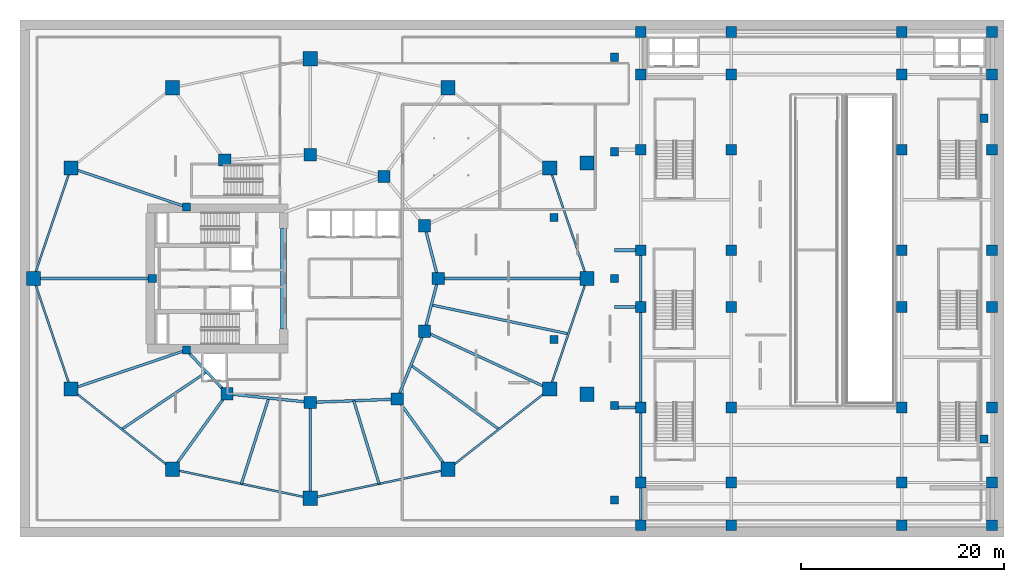
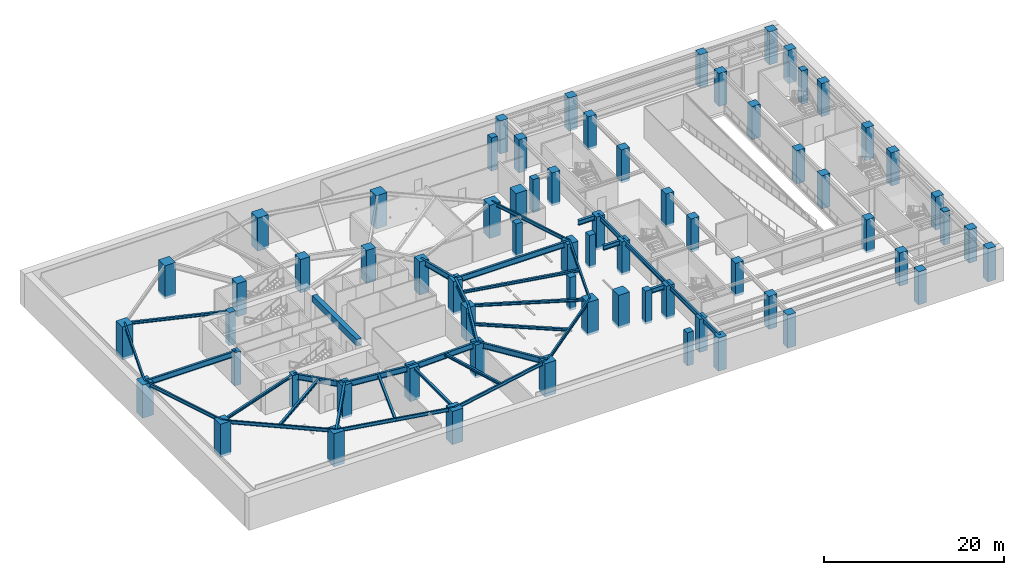
# One storey, part 1 of 16: 67 columns, 35 beams.
"""IFC4 building model written with IfcOpenShell, lengths in metres."""

from ifc_helpers import new_model, si_unit, direction, frame, origin, origin_2d, place, context, subcontext, project, spatial, rectangle, i_section, extrude, material, material_profile, profile_set, type_object, element, save


model = new_model("IFC4")

# Units and contexts
model_context = context("Model", 3, precision=1e-05, world=origin(), true_north=direction((0.0, 1.0)))
body_context = subcontext(model_context, "Body", "Model", "MODEL_VIEW")
ifc_project = project(units=[si_unit("LENGTHUNIT", "METRE"), si_unit("AREAUNIT", "SQUARE_METRE"), si_unit("VOLUMEUNIT", "CUBIC_METRE"), si_unit("PLANEANGLEUNIT", "RADIAN"), si_unit("MASSUNIT", "GRAM", prefix="KILO")], contexts=[model_context])

# Site, building, storey
site_placement = place(None, origin())
site = spatial("IfcSite", under=ifc_project, at=site_placement, CompositionType="ELEMENT")
building_placement = place(site_placement, origin())
building = spatial("IfcBuilding", under=site, at=building_placement, Name="Kolvaren Gate Tower and Convention Centre", CompositionType="ELEMENT")
storey_placement = place(building_placement, frame((0.0, 0.0, -9.0)))
storey = spatial("IfcBuildingStorey", under=building, at=storey_placement, Name="B2", CompositionType="ELEMENT", Elevation=-9.0)

# Columns
ifc_material_1 = material(Name="Concrete C60/75", Category="concrete")
ifc_material_profile_1 = material_profile(ifc_material_1, rectangle(XDim=1.050048828125, YDim=1.050048828125, at=origin_2d()), Name="RC-COL-1050X1050")
ifc_profile_set_1 = profile_set([ifc_material_profile_1], Name="Concrete C60/75")
column_type_1 = type_object("IfcColumnType", Name="STR-COL-RC1050", PredefinedType="COLUMN", material=ifc_profile_set_1)
for number, where, z_axis, x_axis, name in (
    (1, (62.699951171875, 2.699951171875, -0.320068359375), (0.0, 0.0, 1.0), (1.0, 0.0, 0.0), "Convention B2 Column CC-11"),
    (2, (62.699951171875, 6.89990234375, -0.320068359375), (0.0, 0.0, 1.0), (1.0, 0.0, 0.0), "Convention B2 Column CC-12"),
    (3, (62.699951171875, 14.300048828125, -0.320068359375), (0.0, 0.0, 1.0), (1.0, 0.0, 0.0), "Convention B2 Column CC-13"),
    (4, (62.699951171875, 24.199951171875, -0.320068359375), (0.0, 0.0, 1.0), (1.0, 0.0, 0.0), "Convention B2 Column CC-14"),
    (5, (62.699951171875, 29.800048828125, -0.320068359375), (0.0, 0.0, 1.0), (1.0, 0.0, 0.0), "Convention B2 Column CC-15"),
    (6, (62.699951171875, 39.699951171875, -0.320068359375), (0.0, 0.0, 1.0), (1.0, 0.0, 0.0), "Convention B2 Column CC-16"),
    (7, (62.699951171875, 47.10009765625, -0.320068359375), (0.0, 0.0, 1.0), (1.0, 0.0, 0.0), "Convention B2 Column CC-17"),
    (8, (62.699951171875, 51.300048828125, -0.320068359375), (0.0, 0.0, 1.0), (1.0, 0.0, 0.0), "Convention B2 Column CC-18"),
    (9, (71.60009765625, 2.699951171875, -0.320068359375), (0.0, 0.0, 1.0), (1.0, 0.0, 0.0), "Convention B2 Column CC-21"),
    (10, (71.60009765625, 6.89990234375, -0.320068359375), (0.0, 0.0, 1.0), (1.0, 0.0, 0.0), "Convention B2 Column CC-22"),
    (11, (71.60009765625, 14.300048828125, -0.320068359375), (0.0, 0.0, 1.0), (1.0, 0.0, 0.0), "Convention B2 Column CC-23"),
    (12, (71.60009765625, 24.199951171875, -0.320068359375), (0.0, 0.0, 1.0), (1.0, 0.0, 0.0), "Convention B2 Column CC-24"),
    (13, (71.60009765625, 29.800048828125, -0.320068359375), (0.0, 0.0, 1.0), (1.0, 0.0, 0.0), "Convention B2 Column CC-25"),
    (14, (71.60009765625, 39.699951171875, -0.320068359375), (0.0, 0.0, 1.0), (1.0, 0.0, 0.0), "Convention B2 Column CC-26"),
    (15, (71.60009765625, 47.10009765625, -0.320068359375), (0.0, 0.0, 1.0), (1.0, 0.0, 0.0), "Convention B2 Column CC-27"),
    (16, (71.60009765625, 51.300048828125, -0.320068359375), (0.0, 0.0, 1.0), (1.0, 0.0, 0.0), "Convention B2 Column CC-28"),
    (17, (88.39990234375, 2.699951171875, -0.320068359375), (0.0, 0.0, 1.0), (1.0, 0.0, 0.0), "Convention B2 Column CC-31"),
    (18, (88.39990234375, 6.89990234375, -0.320068359375), (0.0, 0.0, 1.0), (1.0, 0.0, 0.0), "Convention B2 Column CC-32"),
    (19, (88.39990234375, 14.300048828125, -0.320068359375), (0.0, 0.0, 1.0), (1.0, 0.0, 0.0), "Convention B2 Column CC-33"),
    (20, (88.39990234375, 24.199951171875, -0.320068359375), (0.0, 0.0, 1.0), (1.0, 0.0, 0.0), "Convention B2 Column CC-34"),
    (21, (88.39990234375, 29.800048828125, -0.320068359375), (0.0, 0.0, 1.0), (1.0, 0.0, 0.0), "Convention B2 Column CC-35"),
    (22, (88.39990234375, 39.699951171875, -0.320068359375), (0.0, 0.0, 1.0), (1.0, 0.0, 0.0), "Convention B2 Column CC-36"),
    (23, (88.39990234375, 47.10009765625, -0.320068359375), (0.0, 0.0, 1.0), (1.0, 0.0, 0.0), "Convention B2 Column CC-37"),
    (24, (88.39990234375, 51.300048828125, -0.320068359375), (0.0, 0.0, 1.0), (1.0, 0.0, 0.0), "Convention B2 Column CC-38"),
    (25, (97.300048828125, 2.699951171875, -0.320068359375), (0.0, 0.0, 1.0), (1.0, 0.0, 0.0), "Convention B2 Column CC-41"),
    (26, (97.300048828125, 6.89990234375, -0.320068359375), (0.0, 0.0, 1.0), (1.0, 0.0, 0.0), "Convention B2 Column CC-42"),
    (27, (97.300048828125, 14.300048828125, -0.320068359375), (0.0, 0.0, 1.0), (1.0, 0.0, 0.0), "Convention B2 Column CC-43"),
    (28, (97.300048828125, 24.199951171875, -0.320068359375), (0.0, 0.0, 1.0), (1.0, 0.0, 0.0), "Convention B2 Column CC-44"),
    (29, (97.300048828125, 29.800048828125, -0.320068359375), (0.0, 0.0, 1.0), (1.0, 0.0, 0.0), "Convention B2 Column CC-45"),
    (30, (97.300048828125, 39.699951171875, -0.320068359375), (0.0, 0.0, 1.0), (1.0, 0.0, 0.0), "Convention B2 Column CC-46"),
    (31, (97.300048828125, 47.10009765625, -0.320068359375), (0.0, 0.0, 1.0), (1.0, 0.0, 0.0), "Convention B2 Column CC-47"),
    (32, (97.300048828125, 51.300048828125, -0.320068359375), (0.0, 0.0, 1.0), (1.0, 0.0, 0.0), "Convention B2 Column CC-48"),
):
    element("IfcColumn", number, at=place(storey_placement, frame(where, z_axis=z_axis, x_axis=x_axis)), inside=storey, type_object=column_type_1, Name=name, PredefinedType="COLUMN", context=body_context, shape_type="SweptSolid", body=[
        extrude(rectangle(XDim=1.050048828125, YDim=1.050048828125, at=origin_2d()), origin(), (0.0, 0.0, 1.0), 4.5),
    ])
ifc_material_2 = material(Name="Concrete C70/85", Category="concrete")
ifc_material_profile_2 = material_profile(ifc_material_2, rectangle(XDim=1.199951171875, YDim=1.199951171875, at=origin_2d()), Name="RC-COL-1200X1200")
ifc_profile_set_2 = profile_set([ifc_material_profile_2], Name="Concrete C70/85")
column_type_2 = type_object("IfcColumnType", Name="STR-COL-RC1200", PredefinedType="COLUMN", material=ifc_profile_set_2)
for number, where, z_axis, x_axis, name in (
    (33, (42.72509765625, 27.0, -0.320068359375), (0.0, 0.0, 1.0), (1.0, 0.0, 0.0), "Tower B2 Interior Column TI-01"),
    (34, (41.382080078125, 32.199462890625, -0.320068359375), (0.0, 0.0, 1.0), (1.0, 0.0, 0.0), "Tower B2 Interior Column TI-02"),
    (35, (37.381591796875, 37.054931640625, -0.320068359375), (0.0, 0.0, 1.0), (1.0, 0.0, 0.0), "Tower B2 Interior Column TI-03"),
    (36, (30.125, 39.199951171875, -0.320068359375), (0.0, 0.0, 1.0), (1.0, 0.0, 0.0), "Tower B2 Interior Column TI-04"),
    (37, (21.697998046875, 38.6767578125, -0.320068359375), (0.0, 0.0, 1.0), (1.0, 0.0, 0.0), "Tower B2 Interior Column TI-05"),
    (38, (21.93212890625, 15.647705078125, -0.320068359375), (0.0, 0.0, 1.0), (1.0, 0.0, 0.0), "Tower B2 Interior Column TI-06"),
    (39, (30.125, 14.800048828125, -0.320068359375), (0.0, 0.0, 1.0), (1.0, 0.0, 0.0), "Tower B2 Interior Column TI-07"),
    (40, (38.6982421875, 15.12060546875, -0.320068359375), (0.0, 0.0, 1.0), (1.0, 0.0, 0.0), "Tower B2 Interior Column TI-08"),
    (41, (41.382080078125, 21.800537109375, -0.320068359375), (0.0, 0.0, 1.0), (1.0, 0.0, 0.0), "Tower B2 Interior Column TI-09"),
):
    element("IfcColumn", number, at=place(storey_placement, frame(where, z_axis=z_axis, x_axis=x_axis)), inside=storey, type_object=column_type_2, Name=name, PredefinedType="COLUMN", context=body_context, shape_type="SweptSolid", body=[
        extrude(rectangle(XDim=1.199951171875, YDim=1.199951171875, at=origin_2d()), origin(), (0.0, 0.0, 1.0), 4.5),
    ])
ifc_material_profile_3 = material_profile(ifc_material_2, rectangle(XDim=1.39990234375, YDim=1.39990234375, at=origin_2d()), Name="RC-COL-1400X1400")
ifc_profile_set_3 = profile_set([ifc_material_profile_3], Name="Concrete C70/85")
column_type_3 = type_object("IfcColumnType", Name="STR-COL-RC1400", PredefinedType="COLUMN", material=ifc_profile_set_3)
for number, where, z_axis, x_axis, name in (
    (42, (57.39990234375, 27.0, -0.320068359375), (0.0, 0.0, 1.0), (1.0, 0.0, 0.0), "Tower B2 Perimeter Supercolumn TP-01"),
    (43, (53.710205078125, 37.8935546875, -0.320068359375), (0.0, 0.0, 1.0), (1.0, 0.0, 0.0), "Tower B2 Perimeter Supercolumn TP-02"),
    (44, (43.690185546875, 45.79638671875, -0.320068359375), (0.0, 0.0, 1.0), (1.0, 0.0, 0.0), "Tower B2 Perimeter Supercolumn TP-03"),
    (45, (30.125, 48.64990234375, -0.320068359375), (0.0, 0.0, 1.0), (1.0, 0.0, 0.0), "Tower B2 Perimeter Supercolumn TP-04"),
    (46, (16.559814453125, 45.79638671875, -0.320068359375), (0.0, 0.0, 1.0), (1.0, 0.0, 0.0), "Tower B2 Perimeter Supercolumn TP-05"),
    (47, (6.539794921875, 37.8935546875, -0.320068359375), (0.0, 0.0, 1.0), (1.0, 0.0, 0.0), "Tower B2 Perimeter Supercolumn TP-06"),
    (48, (2.85009765625, 27.0, -0.320068359375), (0.0, 0.0, 1.0), (1.0, 0.0, 0.0), "Tower B2 Perimeter Supercolumn TP-07"),
    (49, (6.539794921875, 16.1064453125, -0.320068359375), (0.0, 0.0, 1.0), (1.0, 0.0, 0.0), "Tower B2 Perimeter Supercolumn TP-08"),
    (50, (16.559814453125, 8.20361328125, -0.320068359375), (0.0, 0.0, 1.0), (1.0, 0.0, 0.0), "Tower B2 Perimeter Supercolumn TP-09"),
    (51, (30.125, 5.35009765625, -0.320068359375), (0.0, 0.0, 1.0), (1.0, 0.0, 0.0), "Tower B2 Perimeter Supercolumn TP-10"),
    (52, (43.690185546875, 8.20361328125, -0.320068359375), (0.0, 0.0, 1.0), (1.0, 0.0, 0.0), "Tower B2 Perimeter Supercolumn TP-11"),
    (53, (53.710205078125, 16.1064453125, -0.320068359375), (0.0, 0.0, 1.0), (1.0, 0.0, 0.0), "Tower B2 Perimeter Supercolumn TP-12"),
    (54, (57.39990234375, 15.60009765625, -0.320068359375), (0.0, 0.0, 1.0), (1.0, 0.0, 0.0), "Monumental Arch Skewback Pier AP-1 (B2)"),
    (55, (57.39990234375, 38.39990234375, -0.320068359375), (0.0, 0.0, 1.0), (1.0, 0.0, 0.0), "Monumental Arch Skewback Pier AP-2 (B2)"),
):
    element("IfcColumn", number, at=place(storey_placement, frame(where, z_axis=z_axis, x_axis=x_axis)), inside=storey, type_object=column_type_3, Name=name, PredefinedType="COLUMN", context=body_context, shape_type="SweptSolid", body=[
        extrude(rectangle(XDim=1.39990234375, YDim=1.39990234375, at=origin_2d()), origin(), (0.0, 0.0, 1.0), 4.5),
    ])
ifc_material_3 = material(Name="Concrete C50/60", Category="concrete")
ifc_material_profile_4 = material_profile(ifc_material_3, rectangle(XDim=0.800048828125, YDim=0.800048828125, at=origin_2d()), Name="RC-COL-800X800")
ifc_profile_set_4 = profile_set([ifc_material_profile_4], Name="Concrete C50/60")
column_type_4 = type_object("IfcColumnType", Name="STR-COL-RC800", PredefinedType="COLUMN", material=ifc_profile_set_4)
for number, where, z_axis, x_axis, name in (
    (56, (60.10009765625, 5.199951171875, -0.320068359375), (0.0, 0.0, 1.0), (1.0, 0.0, 0.0), "Substructure Plaza Column BP-01 (B2)"),
    (57, (60.10009765625, 14.5, -0.320068359375), (0.0, 0.0, 1.0), (1.0, 0.0, 0.0), "Substructure Plaza Column BP-02 (B2)"),
    (58, (60.10009765625, 27.0, -0.320068359375), (0.0, 0.0, 1.0), (1.0, 0.0, 0.0), "Substructure Plaza Column BP-03 (B2)"),
    (59, (60.10009765625, 39.5, -0.320068359375), (0.0, 0.0, 1.0), (1.0, 0.0, 0.0), "Substructure Plaza Column BP-04 (B2)"),
    (60, (60.10009765625, 48.800048828125, -0.320068359375), (0.0, 0.0, 1.0), (1.0, 0.0, 0.0), "Substructure Plaza Column BP-05 (B2)"),
):
    element("IfcColumn", number, at=place(storey_placement, frame(where, z_axis=z_axis, x_axis=x_axis)), inside=storey, type_object=column_type_4, Name=name, PredefinedType="COLUMN", context=body_context, shape_type="SweptSolid", body=[
        extrude(rectangle(XDim=0.800048828125, YDim=0.800048828125, at=origin_2d()), origin(), (0.0, 0.0, 1.0), 4.5),
    ])
ifc_material_profile_5 = material_profile(ifc_material_1, rectangle(XDim=0.800048828125, YDim=0.800048828125, at=origin_2d()), Name="RC-COL-800X800")
ifc_profile_set_5 = profile_set([ifc_material_profile_5], Name="Concrete C60/75")
column_type_5 = type_object("IfcColumnType", Name="STR-PIL-RC800", PredefinedType="PILASTER", material=ifc_profile_set_5)
for number, where, z_axis, x_axis, name in (
    (61, (54.14990234375, 21.0, -0.320068359375), (0.0, 0.0, 1.0), (1.0, 0.0, 0.0), "Arch Portal Pilaster CP-1 (B2)"),
    (62, (54.14990234375, 33.0, -0.320068359375), (0.0, 0.0, 1.0), (1.0, 0.0, 0.0), "Arch Portal Pilaster CP-2 (B2)"),
    (63, (17.9140625, 34.050048828125, -0.320068359375), (0.0, 0.0, 1.0), (1.0, 0.0, 0.0), "Tower B2 Core Boundary Pilaster TC-05"),
    (64, (14.550048828125, 27.0, -0.320068359375), (0.0, 0.0, 1.0), (1.0, 0.0, 0.0), "Tower B2 Core Boundary Pilaster TC-06"),
    (65, (17.9140625, 19.949951171875, -0.320068359375), (0.0, 0.0, 1.0), (1.0, 0.0, 0.0), "Tower B2 Core Boundary Pilaster TC-07"),
    (66, (96.5, 11.199951171875, -0.320068359375), (0.0, 0.0, 1.0), (1.0, 0.0, 0.0), "Convention B2 Wall Pilaster CP-C1"),
    (67, (96.5, 42.800048828125, -0.320068359375), (0.0, 0.0, 1.0), (1.0, 0.0, 0.0), "Convention B2 Wall Pilaster CP-C2"),
):
    element("IfcColumn", number, at=place(storey_placement, frame(where, z_axis=z_axis, x_axis=x_axis)), inside=storey, type_object=column_type_5, Name=name, PredefinedType="PILASTER", context=body_context, shape_type="SweptSolid", body=[
        extrude(rectangle(XDim=0.800048828125, YDim=0.800048828125, at=origin_2d()), origin(), (0.0, 0.0, 1.0), 4.5),
    ])

# Beams
ifc_material_4 = material(Name="Structural steel ASTM A992 Grade 345 MPa", Category="steel")
ifc_material_profile_6 = material_profile(ifc_material_4, i_section(OverallWidth=0.22998046875, OverallDepth=0.616943359375, WebThickness=0.01318359375, FlangeThickness=0.022216796875, at=origin_2d()), Name="W610X140")
ifc_profile_set_6 = profile_set([ifc_material_profile_6], Name="Structural steel ASTM A992 Grade 345 MPa")
beam_type_1 = type_object("IfcBeamType", Name="STR-BM-W610X140", PredefinedType="BEAM", material=ifc_profile_set_6)
beam_1_placement = place(storey_placement, frame((62.699951171875, 2.699951171875, 3.87158203125), z_axis=(0.0, 1.0, 0.0), x_axis=(-1.0, 0.0, 0.0)))
element("IfcBeam", 68, at=beam_1_placement, inside=storey, type_object=beam_type_1, Name="Convention B2 Longitudinal Girder CG-11", PredefinedType="BEAM", context=body_context, shape_type="SweptSolid", body=[
    extrude(i_section(OverallWidth=0.22998046875, OverallDepth=0.616943359375, WebThickness=0.01318359375, FlangeThickness=0.022216796875, at=origin_2d()), origin(), (0.0, 0.0, 1.0), 4.199951171875),
])
beam_2_placement = place(storey_placement, frame((62.699951171875, 6.89990234375, 3.87158203125), z_axis=(0.0, 1.0, 0.0), x_axis=(-1.0, 0.0, 0.0)))
element("IfcBeam", 69, at=beam_2_placement, inside=storey, type_object=beam_type_1, Name="Convention B2 Longitudinal Girder CG-12", PredefinedType="BEAM", context=body_context, shape_type="SweptSolid", body=[
    extrude(i_section(OverallWidth=0.22998046875, OverallDepth=0.616943359375, WebThickness=0.01318359375, FlangeThickness=0.022216796875, at=origin_2d()), origin(), (0.0, 0.0, 1.0), 7.400146484375),
])
beam_3_placement = place(storey_placement, frame((62.699951171875, 14.300048828125, 3.87158203125), z_axis=(0.0, 1.0, 0.0), x_axis=(-1.0, 0.0, 0.0)))
element("IfcBeam", 70, at=beam_3_placement, inside=storey, type_object=beam_type_1, Name="Convention B2 Longitudinal Girder CG-13", PredefinedType="BEAM", context=body_context, shape_type="SweptSolid", body=[
    extrude(i_section(OverallWidth=0.22998046875, OverallDepth=0.616943359375, WebThickness=0.01318359375, FlangeThickness=0.022216796875, at=origin_2d()), origin(), (0.0, 0.0, 1.0), 9.89990234375),
])
beam_4_placement = place(storey_placement, frame((62.699951171875, 24.199951171875, 3.87158203125), z_axis=(0.0, 1.0, 0.0), x_axis=(-1.0, 0.0, 0.0)))
element("IfcBeam", 71, at=beam_4_placement, inside=storey, type_object=beam_type_1, Name="Convention B2 Longitudinal Girder CG-14", PredefinedType="BEAM", context=body_context, shape_type="SweptSolid", body=[
    extrude(i_section(OverallWidth=0.22998046875, OverallDepth=0.616943359375, WebThickness=0.01318359375, FlangeThickness=0.022216796875, at=origin_2d()), origin(), (0.0, 0.0, 1.0), 5.60009765625),
])
ifc_material_profile_7 = material_profile(ifc_material_4, i_section(OverallWidth=0.327880859375, OverallDepth=0.6279296875, WebThickness=0.0166015625, FlangeThickness=0.027587890625, at=origin_2d()), Name="W610X217")
ifc_profile_set_7 = profile_set([ifc_material_profile_7], Name="Structural steel ASTM A992 Grade 345 MPa")
beam_type_2 = type_object("IfcBeamType", Name="STR-BM-W610X217", PredefinedType="BEAM", material=ifc_profile_set_7)
for number, where, z_axis, x_axis, name in (
    (72, (60.10009765625, 14.300048828125, 3.865966796875), (1.0, 0.0, 0.0), (0.0, 1.0, 0.0), "Basement B2 Substructure Girder SG-14"),
    (73, (60.10009765625, 24.199951171875, 3.865966796875), (1.0, 0.0, 0.0), (0.0, 1.0, 0.0), "Basement B2 Substructure Girder SG-24"),
    (74, (60.10009765625, 29.800048828125, 3.865966796875), (1.0, 0.0, 0.0), (0.0, 1.0, 0.0), "Basement B2 Substructure Girder SG-29"),
):
    element("IfcBeam", number, at=place(storey_placement, frame(where, z_axis=z_axis, x_axis=x_axis)), inside=storey, type_object=beam_type_2, Name=name, PredefinedType="BEAM", context=body_context, shape_type="SweptSolid", body=[
        extrude(i_section(OverallWidth=0.327880859375, OverallDepth=0.6279296875, WebThickness=0.0166015625, FlangeThickness=0.027587890625, at=origin_2d()), origin(), (0.0, 0.0, 1.0), 2.599853515625),
    ])
ifc_material_profile_8 = material_profile(ifc_material_4, i_section(OverallWidth=0.26806640625, OverallDepth=0.758056640625, WebThickness=0.016357421875, FlangeThickness=0.025390625, at=origin_2d()), Name="W760X220")
ifc_profile_set_8 = profile_set([ifc_material_profile_8], Name="Structural steel ASTM A992 Grade 345 MPa")
beam_type_3 = type_object("IfcBeamType", Name="STR-BM-W760X220", PredefinedType="BEAM", material=ifc_profile_set_8)
beam_5_placement = place(storey_placement, frame((42.72509765625, 27.0, 3.801025390625), z_axis=(-0.250091133936, -0.968222301296, 0.0), x_axis=(0.968222301296, -0.250091133936, 0.0)))
element("IfcBeam", 75, at=beam_5_placement, inside=storey, type_object=beam_type_3, Name="Tower B2 Primary Ring Girder G-01", PredefinedType="BEAM", context=body_context, shape_type="SweptSolid", body=[
    extrude(i_section(OverallWidth=0.26806640625, OverallDepth=0.758056640625, WebThickness=0.016357421875, FlangeThickness=0.025390625, at=origin_2d()), origin(), (0.0, 0.0, 1.0), 5.3701171875),
])
beam_6_placement = place(storey_placement, frame((17.9140625, 19.949951171875, 3.801025390625), z_axis=(0.682557592987, -0.730831808459, 0.0), x_axis=(0.730831808459, 0.682557592987, 0.0)))
element("IfcBeam", 76, at=beam_6_placement, inside=storey, type_object=beam_type_3, Name="Tower B2 Primary Ring Girder G-06", PredefinedType="BEAM", context=body_context, shape_type="SweptSolid", body=[
    extrude(i_section(OverallWidth=0.26806640625, OverallDepth=0.758056640625, WebThickness=0.016357421875, FlangeThickness=0.025390625, at=origin_2d()), origin(), (0.0, 0.0, 1.0), 5.88671875),
])
beam_7_placement = place(storey_placement, frame((21.93212890625, 15.647705078125, 3.801025390625), z_axis=(0.994690329115, -0.102913308978, 0.0), x_axis=(0.102913308978, 0.994690329115, 0.0)))
element("IfcBeam", 77, at=beam_7_placement, inside=storey, type_object=beam_type_3, Name="Tower B2 Primary Ring Girder G-07", PredefinedType="BEAM", context=body_context, shape_type="SweptSolid", body=[
    extrude(i_section(OverallWidth=0.26806640625, OverallDepth=0.758056640625, WebThickness=0.016357421875, FlangeThickness=0.025390625, at=origin_2d()), origin(), (0.0, 0.0, 1.0), 8.236572265625),
])
beam_8_placement = place(storey_placement, frame((30.125, 14.800048828125, 3.801025390625), z_axis=(0.999301712453, 0.037364254142, 0.0), x_axis=(-0.037364254142, 0.999301712453, 0.0)))
element("IfcBeam", 78, at=beam_8_placement, inside=storey, type_object=beam_type_3, Name="Tower B2 Primary Ring Girder G-08", PredefinedType="BEAM", context=body_context, shape_type="SweptSolid", body=[
    extrude(i_section(OverallWidth=0.26806640625, OverallDepth=0.758056640625, WebThickness=0.016357421875, FlangeThickness=0.025390625, at=origin_2d()), origin(), (0.0, 0.0, 1.0), 8.579345703125),
])
beam_9_placement = place(storey_placement, frame((38.6982421875, 15.12060546875, 3.801025390625), z_axis=(0.372811100169, 0.927907260232, 0.0), x_axis=(-0.927907260232, 0.372811100169, 0.0)))
element("IfcBeam", 79, at=beam_9_placement, inside=storey, type_object=beam_type_3, Name="Tower B2 Primary Ring Girder G-09", PredefinedType="BEAM", context=body_context, shape_type="SweptSolid", body=[
    extrude(i_section(OverallWidth=0.26806640625, OverallDepth=0.758056640625, WebThickness=0.016357421875, FlangeThickness=0.025390625, at=origin_2d()), origin(), (0.0, 0.0, 1.0), 7.198974609375),
])
beam_10_placement = place(storey_placement, frame((42.72509765625, 27.0, 3.801025390625), z_axis=(-0.250091133936, 0.968222301296, 0.0), x_axis=(-0.968222301296, -0.250091133936, 0.0)))
element("IfcBeam", 80, at=beam_10_placement, inside=storey, type_object=beam_type_3, Name="Tower B2 Primary Ring Girder G-12", PredefinedType="BEAM", context=body_context, shape_type="SweptSolid", body=[
    extrude(i_section(OverallWidth=0.26806640625, OverallDepth=0.758056640625, WebThickness=0.016357421875, FlangeThickness=0.025390625, at=origin_2d()), origin(), (0.0, 0.0, 1.0), 5.3701171875),
])
beam_11_placement = place(storey_placement, frame((42.72509765625, 27.0, 3.801025390625), z_axis=(1.0, 0.0, 0.0), x_axis=(0.0, 1.0, 0.0)))
element("IfcBeam", 81, at=beam_11_placement, inside=storey, type_object=beam_type_3, Name="Tower B2 Radial Floor Girder RB-01", PredefinedType="BEAM", context=body_context, shape_type="SweptSolid", body=[
    extrude(i_section(OverallWidth=0.26806640625, OverallDepth=0.758056640625, WebThickness=0.016357421875, FlangeThickness=0.025390625, at=origin_2d()), origin(), (0.0, 0.0, 1.0), 14.6748046875),
])
beam_12_placement = place(storey_placement, frame((14.550048828125, 27.0, 3.801025390625), z_axis=(-1.0, 0.0, 0.0), x_axis=(0.0, -1.0, 0.0)))
element("IfcBeam", 82, at=beam_12_placement, inside=storey, type_object=beam_type_3, Name="Tower B2 Radial Floor Girder RB-07", PredefinedType="BEAM", context=body_context, shape_type="SweptSolid", body=[
    extrude(i_section(OverallWidth=0.26806640625, OverallDepth=0.758056640625, WebThickness=0.016357421875, FlangeThickness=0.025390625, at=origin_2d()), origin(), (0.0, 0.0, 1.0), 11.699951171875),
])
beam_13_placement = place(storey_placement, frame((21.93212890625, 15.647705078125, 3.801025390625), z_axis=(-0.585206018873, -0.810884649919, 0.0), x_axis=(0.810884649919, -0.585206018873, 0.0)))
element("IfcBeam", 83, at=beam_13_placement, inside=storey, type_object=beam_type_3, Name="Tower B2 Radial Floor Girder RB-09", PredefinedType="BEAM", context=body_context, shape_type="SweptSolid", body=[
    extrude(i_section(OverallWidth=0.26806640625, OverallDepth=0.758056640625, WebThickness=0.016357421875, FlangeThickness=0.025390625, at=origin_2d()), origin(), (0.0, 0.0, 1.0), 9.18017578125),
])
beam_14_placement = place(storey_placement, frame((38.6982421875, 15.12060546875, 3.801025390625), z_axis=(0.585208374732, -0.810882949718, 0.0), x_axis=(0.810882949718, 0.585208374732, 0.0)))
element("IfcBeam", 84, at=beam_14_placement, inside=storey, type_object=beam_type_3, Name="Tower B2 Radial Floor Girder RB-11", PredefinedType="BEAM", context=body_context, shape_type="SweptSolid", body=[
    extrude(i_section(OverallWidth=0.26806640625, OverallDepth=0.758056640625, WebThickness=0.016357421875, FlangeThickness=0.025390625, at=origin_2d()), origin(), (0.0, 0.0, 1.0), 8.5302734375),
])
ifc_material_profile_9 = material_profile(ifc_material_4, i_section(OverallWidth=0.2548828125, OverallDepth=0.35693359375, WebThickness=0.010498046875, FlangeThickness=0.018310546875, at=origin_2d()), Name="W360X101")
ifc_profile_set_9 = profile_set([ifc_material_profile_9], Name="Structural steel ASTM A992 Grade 345 MPa")
beam_type_4 = type_object("IfcBeamType", Name="STR-JS-W360X101", PredefinedType="JOIST", material=ifc_profile_set_9)
for number, where, z_axis, x_axis, name in (
    (85, (17.9140625, 34.050048828125, 4.00146484375), (-0.947373842609, 0.320129352512, 0.0), (-0.320129352512, -0.947373842609, 0.0), "Tower B2 Radial Floor Girder RB-06"),
    (86, (17.9140625, 19.949951171875, 4.00146484375), (-0.947373842609, -0.320129352512, 0.0), (0.320129352512, -0.947373842609, 0.0), "Tower B2 Radial Floor Girder RB-08"),
):
    element("IfcBeam", number, at=place(storey_placement, frame(where, z_axis=z_axis, x_axis=x_axis)), inside=storey, type_object=beam_type_4, Name=name, PredefinedType="JOIST", context=body_context, shape_type="SweptSolid", body=[
        extrude(i_section(OverallWidth=0.2548828125, OverallDepth=0.35693359375, WebThickness=0.010498046875, FlangeThickness=0.018310546875, at=origin_2d()), origin(), (0.0, 0.0, 1.0), 12.006103515625),
    ])
beam_15_placement = place(storey_placement, frame((30.125, 14.800048828125, 4.00146484375), z_axis=(0.0, -1.0, 0.0), x_axis=(1.0, 0.0, 0.0)))
element("IfcBeam", 87, at=beam_15_placement, inside=storey, type_object=beam_type_4, Name="Tower B2 Radial Floor Girder RB-10", PredefinedType="JOIST", context=body_context, shape_type="SweptSolid", body=[
    extrude(i_section(OverallWidth=0.2548828125, OverallDepth=0.35693359375, WebThickness=0.010498046875, FlangeThickness=0.018310546875, at=origin_2d()), origin(), (0.0, 0.0, 1.0), 9.449951171875),
])
beam_16_placement = place(storey_placement, frame((41.382080078125, 21.800537109375, 4.00146484375), z_axis=(0.907842006347, -0.419312403241, 0.0), x_axis=(0.419312403241, 0.907842006347, 0.0)))
element("IfcBeam", 88, at=beam_16_placement, inside=storey, type_object=beam_type_4, Name="Tower B2 Radial Floor Girder RB-12", PredefinedType="JOIST", context=body_context, shape_type="SweptSolid", body=[
    extrude(i_section(OverallWidth=0.2548828125, OverallDepth=0.35693359375, WebThickness=0.010498046875, FlangeThickness=0.018310546875, at=origin_2d()), origin(), (0.0, 0.0, 1.0), 13.57958984375),
])
beam_17_placement = place(storey_placement, frame((19.923095703125, 17.798828125, 4.00146484375), z_axis=(-0.829223797874, -0.558916713866, 0.0), x_axis=(0.558916713866, -0.829223797874, 0.0)))
element("IfcBeam", 89, at=beam_17_placement, inside=storey, type_object=beam_type_4, Name="Tower B2 Secondary Composite Floor Joist J-08.1", PredefinedType="JOIST", context=body_context, shape_type="SweptSolid", body=[
    extrude(i_section(OverallWidth=0.2548828125, OverallDepth=0.35693359375, WebThickness=0.010498046875, FlangeThickness=0.018310546875, at=origin_2d()), origin(), (0.0, 0.0, 1.0), 10.09765625),
])
beam_18_placement = place(storey_placement, frame((26.028564453125, 15.223876953125, 4.00146484375), z_axis=(-0.303059270932, -0.952971709078, 0.0), x_axis=(0.952971709078, -0.303059270932, 0.0)))
element("IfcBeam", 90, at=beam_18_placement, inside=storey, type_object=beam_type_4, Name="Tower B2 Secondary Composite Floor Joist J-09.1", PredefinedType="JOIST", context=body_context, shape_type="SweptSolid", body=[
    extrude(i_section(OverallWidth=0.2548828125, OverallDepth=0.35693359375, WebThickness=0.010498046875, FlangeThickness=0.018310546875, at=origin_2d()), origin(), (0.0, 0.0, 1.0), 8.86376953125),
])
beam_19_placement = place(storey_placement, frame((34.41162109375, 14.960205078125, 4.00146484375), z_axis=(0.291750890749, -0.956494337541, 0.0), x_axis=(0.956494337541, 0.291750890749, 0.0)))
element("IfcBeam", 91, at=beam_19_placement, inside=storey, type_object=beam_type_4, Name="Tower B2 Secondary Composite Floor Joist J-10.1", PredefinedType="JOIST", context=body_context, shape_type="SweptSolid", body=[
    extrude(i_section(OverallWidth=0.2548828125, OverallDepth=0.35693359375, WebThickness=0.010498046875, FlangeThickness=0.018310546875, at=origin_2d()), origin(), (0.0, 0.0, 1.0), 8.5556640625),
])
beam_20_placement = place(storey_placement, frame((40.040283203125, 18.46044921875, 4.00146484375), z_axis=(0.808411716387, -0.588617445212, 0.0), x_axis=(0.588617445212, 0.808411716387, 0.0)))
element("IfcBeam", 92, at=beam_20_placement, inside=storey, type_object=beam_type_4, Name="Tower B2 Secondary Composite Floor Joist J-11.1", PredefinedType="JOIST", context=body_context, shape_type="SweptSolid", body=[
    extrude(i_section(OverallWidth=0.2548828125, OverallDepth=0.35693359375, WebThickness=0.010498046875, FlangeThickness=0.018310546875, at=origin_2d()), origin(), (0.0, 0.0, 1.0), 10.712158203125),
])
beam_21_placement = place(storey_placement, frame((42.0537109375, 24.400146484375, 4.00146484375), z_axis=(0.978483842038, -0.206323461756, 0.0), x_axis=(0.206323461756, 0.978483842038, 0.0)))
element("IfcBeam", 93, at=beam_21_placement, inside=storey, type_object=beam_type_4, Name="Tower B2 Secondary Composite Floor Joist J-12.1", PredefinedType="JOIST", context=body_context, shape_type="SweptSolid", body=[
    extrude(i_section(OverallWidth=0.2548828125, OverallDepth=0.35693359375, WebThickness=0.010498046875, FlangeThickness=0.018310546875, at=origin_2d()), origin(), (0.0, 0.0, 1.0), 13.79833984375),
])
ifc_material_profile_10 = material_profile(ifc_material_1, rectangle(XDim=0.60009765625, YDim=0.89990234375, at=origin_2d()), Name="RC-BM-600X900")
ifc_profile_set_10 = profile_set([ifc_material_profile_10], Name="Concrete C60/75")
beam_type_5 = type_object("IfcBeamType", Name="STR-LN-RC600X900", PredefinedType="LINTEL", material=ifc_profile_set_10)
beam_22_placement = place(storey_placement, frame((27.5, 22.050048828125, 3.72998046875), z_axis=(0.0, 1.0, 0.0), x_axis=(-1.0, 0.0, 0.0)))
element("IfcBeam", 94, at=beam_22_placement, inside=storey, type_object=beam_type_5, Name="Tower B2 Core Ductile Coupling Beam CB-01", PredefinedType="LINTEL", context=body_context, shape_type="SweptSolid", body=[
    extrude(rectangle(XDim=0.60009765625, YDim=0.89990234375, at=origin_2d()), origin(), (0.0, 0.0, 1.0), 9.89990234375),
])
ifc_material_profile_11 = material_profile(ifc_material_4, i_section(OverallWidth=0.194091796875, OverallDepth=0.468994140625, WebThickness=0.0126953125, FlangeThickness=0.0205078125, at=origin_2d()), Name="W460X106")
ifc_profile_set_11 = profile_set([ifc_material_profile_11], Name="Structural steel ASTM A992 Grade 345 MPa")
beam_type_6 = type_object("IfcBeamType", Name="STR-SP-W460X106", PredefinedType="SPANDREL", material=ifc_profile_set_11)
for number, where, z_axis, x_axis, name in (
    (95, (57.39990234375, 27.0, 3.945556640625), (-0.320802733798, 0.947146032029, 0.0), (-0.947146032029, -0.320802733798, 0.0), "Tower B2 Perimeter Spandrel Beam SP-01"),
    (96, (6.539794921875, 37.8935546875, 3.945556640625), (-0.320802733798, -0.947146032029, 0.0), (0.947146032029, -0.320802733798, 0.0), "Tower B2 Perimeter Spandrel Beam SP-06"),
    (97, (2.85009765625, 27.0, 3.945556640625), (0.320802733798, -0.947146032029, 0.0), (0.947146032029, 0.320802733798, 0.0), "Tower B2 Perimeter Spandrel Beam SP-07"),
):
    element("IfcBeam", number, at=place(storey_placement, frame(where, z_axis=z_axis, x_axis=x_axis)), inside=storey, type_object=beam_type_6, Name=name, PredefinedType="SPANDREL", context=body_context, shape_type="SweptSolid", body=[
        extrude(i_section(OverallWidth=0.194091796875, OverallDepth=0.468994140625, WebThickness=0.0126953125, FlangeThickness=0.0205078125, at=origin_2d()), origin(), (0.0, 0.0, 1.0), 11.50146484375),
    ])
beam_23_placement = place(storey_placement, frame((6.539794921875, 16.1064453125, 3.945556640625), z_axis=(0.785176498861, -0.619272044933, 0.0), x_axis=(0.619272044933, 0.785176498861, 0.0)))
element("IfcBeam", 98, at=beam_23_placement, inside=storey, type_object=beam_type_6, Name="Tower B2 Perimeter Spandrel Beam SP-08", PredefinedType="SPANDREL", context=body_context, shape_type="SweptSolid", body=[
    extrude(i_section(OverallWidth=0.194091796875, OverallDepth=0.468994140625, WebThickness=0.0126953125, FlangeThickness=0.0205078125, at=origin_2d()), origin(), (0.0, 0.0, 1.0), 12.761474609375),
])
for number, where, z_axis, x_axis, name in (
    (99, (16.559814453125, 8.20361328125, 3.945556640625), (0.978583407863, -0.205850707685, 0.0), (0.205850707685, 0.978583407863, 0.0), "Tower B2 Perimeter Spandrel Beam SP-09"),
    (100, (30.125, 5.35009765625, 3.945556640625), (0.978583407863, 0.205850707685, 0.0), (-0.205850707685, 0.978583407863, 0.0), "Tower B2 Perimeter Spandrel Beam SP-10"),
):
    element("IfcBeam", number, at=place(storey_placement, frame(where, z_axis=z_axis, x_axis=x_axis)), inside=storey, type_object=beam_type_6, Name=name, PredefinedType="SPANDREL", context=body_context, shape_type="SweptSolid", body=[
        extrude(i_section(OverallWidth=0.194091796875, OverallDepth=0.468994140625, WebThickness=0.0126953125, FlangeThickness=0.0205078125, at=origin_2d()), origin(), (0.0, 0.0, 1.0), 13.862060546875),
    ])
beam_24_placement = place(storey_placement, frame((43.690185546875, 8.20361328125, 3.945556640625), z_axis=(0.785176498861, 0.619272044933, 0.0), x_axis=(-0.619272044933, 0.785176498861, 0.0)))
element("IfcBeam", 101, at=beam_24_placement, inside=storey, type_object=beam_type_6, Name="Tower B2 Perimeter Spandrel Beam SP-11", PredefinedType="SPANDREL", context=body_context, shape_type="SweptSolid", body=[
    extrude(i_section(OverallWidth=0.194091796875, OverallDepth=0.468994140625, WebThickness=0.0126953125, FlangeThickness=0.0205078125, at=origin_2d()), origin(), (0.0, 0.0, 1.0), 12.761474609375),
])
beam_25_placement = place(storey_placement, frame((53.710205078125, 16.1064453125, 3.945556640625), z_axis=(0.320802733798, 0.947146032029, 0.0), x_axis=(-0.947146032029, 0.320802733798, 0.0)))
element("IfcBeam", 102, at=beam_25_placement, inside=storey, type_object=beam_type_6, Name="Tower B2 Perimeter Spandrel Beam SP-12", PredefinedType="SPANDREL", context=body_context, shape_type="SweptSolid", body=[
    extrude(i_section(OverallWidth=0.194091796875, OverallDepth=0.468994140625, WebThickness=0.0126953125, FlangeThickness=0.0205078125, at=origin_2d()), origin(), (0.0, 0.0, 1.0), 11.50146484375),
])

save(model, "model.ifc")
